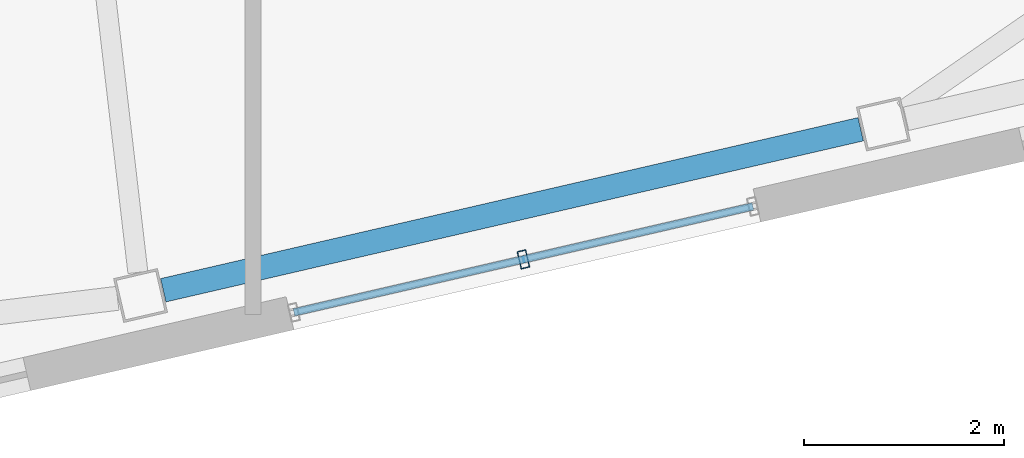
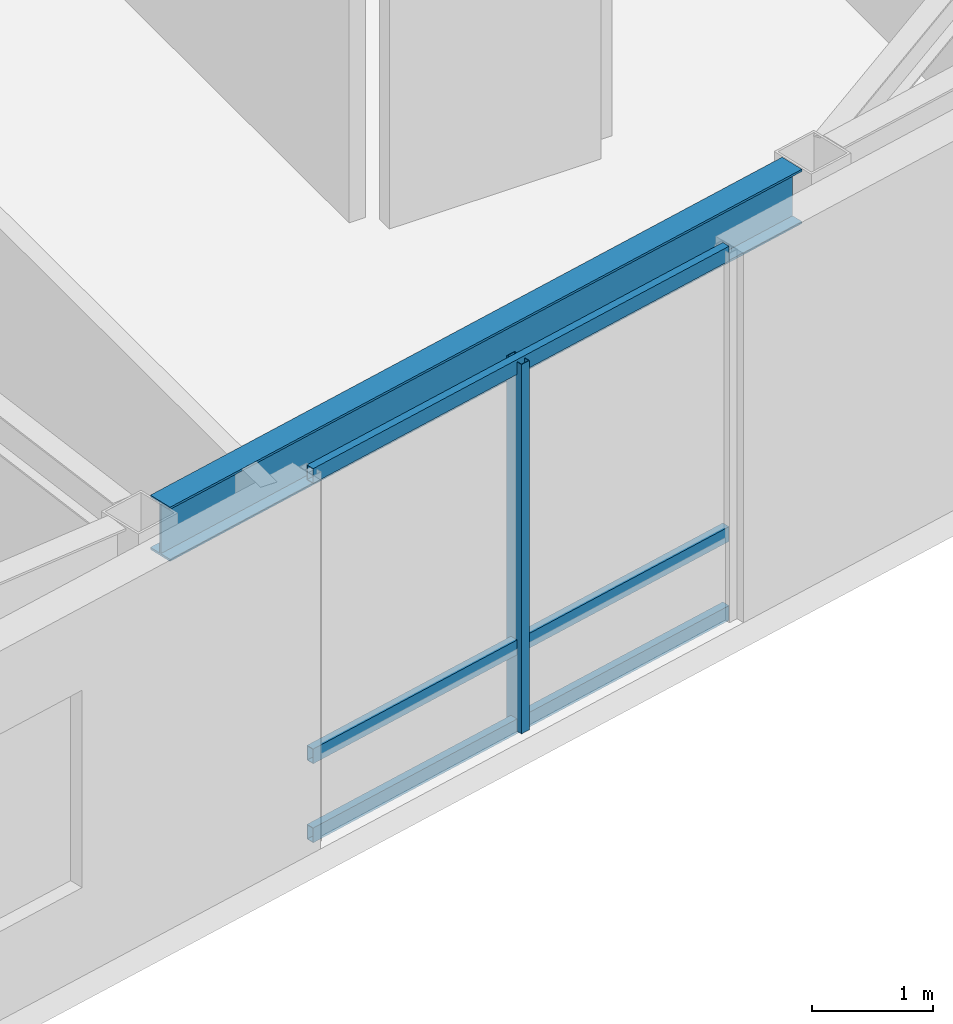
# One storey, part 8 of 23: 4 members, 1 beam, 1 element without a shape of its own.
"""IFC4 building model written with IfcOpenShell, lengths in metres."""

import ifcopenshell
import ifcopenshell.guid

model = None  # the IFC model being written
_history = None  # IfcOwnerHistory: only IFC2X3 demands one
_inside = {}  # id of a spatial element -> (the spatial element, [elements in it])
_under = {}  # id of a project, library or spatial element -> (it, [spatial elements below it])
_declared = {}  # id of a project -> (the project, [libraries it declares])
_typed = {}  # id of a type object -> (the type object, [elements of that type])
_made_of = {}  # id of a material, layer set ... -> (it, [elements and type objects made of it])


def new_model(schema):
    """Start an empty IFC model of exactly this schema.

    Asked for "IFC4X3", IfcOpenShell would pick the latest addendum, in which some entities
    have other attributes; the version numbers below select the first issue.
    IFC2X3 requires an IfcOwnerHistory on every rooted entity: one is made here for all.
    """
    global model, _history
    if schema == "IFC4X3":
        model = ifcopenshell.file(schema_version=(4, 3, 0, 0))
    else:
        model = ifcopenshell.file(schema=schema)
    _inside.clear()
    _under.clear()
    _declared.clear()
    _typed.clear()
    _made_of.clear()
    _history = None
    if model.schema == "IFC2X3":
        org = make("IfcOrganization", Name="unknown")
        user = make(
            "IfcPersonAndOrganization",
            ThePerson=make("IfcPerson", FamilyName="unknown"),
            TheOrganization=org,
        )
        app = make(
            "IfcApplication",
            ApplicationDeveloper=org,
            Version="unknown",
            ApplicationFullName="unknown",
            ApplicationIdentifier="unknown",
        )
        _history = make(
            "IfcOwnerHistory",
            OwningUser=user,
            OwningApplication=app,
            ChangeAction="ADDED",
            CreationDate=0,
        )
    return model


def make(cls, **values):
    """One entity of the class cls with the attributes given. An attribute that is None is left unset."""
    return model.create_entity(
        cls, **{name: value for name, value in values.items() if value is not None}
    )


def rooted(cls, **values):
    """An entity with a GlobalId (a new one), such as an element, a storey or a relation."""
    return make(cls, GlobalId=ifcopenshell.guid.new(), OwnerHistory=_history, **values)


def si_unit(unit_type, name, prefix=None):
    """IfcSIUnit, for example si_unit("LENGTHUNIT", "METRE", prefix="MILLI")."""
    return make("IfcSIUnit", UnitType=unit_type, Prefix=prefix, Name=name)


def assignment(units):
    """IfcUnitAssignment: the units of a project."""
    return None if units is None else make("IfcUnitAssignment", Units=units)


def point(xyz):
    """IfcCartesianPoint."""
    return None if xyz is None else make("IfcCartesianPoint", Coordinates=xyz)


def direction(xyz):
    """IfcDirection."""
    return None if xyz is None else make("IfcDirection", DirectionRatios=xyz)


def frame(location, z_axis=None, x_axis=None):
    """IfcAxis2Placement3D, a coordinate frame: its origin and axes. An axis left out is left unset."""
    return make(
        "IfcAxis2Placement3D",
        Location=point(location),
        Axis=direction(z_axis),
        RefDirection=direction(x_axis),
    )


def frame_2d(location, x_axis=None):
    """IfcAxis2Placement2D, a coordinate frame in the plane: its origin and x axis."""
    return make(
        "IfcAxis2Placement2D", Location=point(location), RefDirection=direction(x_axis)
    )


def origin():
    """The frame at (0, 0, 0) with its axes left unset."""
    return frame((0.0, 0.0, 0.0))


def origin_2d():
    """The frame at (0, 0) in the plane with its x axis left unset."""
    return frame_2d((0.0, 0.0))


def place(relative_to, where):
    """IfcLocalPlacement: puts the frame where relative to a parent placement (None: the world)."""
    return make(
        "IfcLocalPlacement", PlacementRelTo=relative_to, RelativePlacement=where
    )


def context(
    kind, dimensions, precision=None, world=None, true_north=None, identifier=None
):
    """IfcGeometricRepresentationContext, for example the 3D "Model" context."""
    return make(
        "IfcGeometricRepresentationContext",
        ContextIdentifier=identifier,
        ContextType=kind,
        CoordinateSpaceDimension=dimensions,
        Precision=precision,
        WorldCoordinateSystem=world,
        TrueNorth=true_north,
    )


def subcontext(parent, identifier, kind, view, scale=None):
    """IfcGeometricRepresentationSubContext, for example "Body" below "Model"."""
    return make(
        "IfcGeometricRepresentationSubContext",
        ContextIdentifier=identifier,
        ContextType=kind,
        ParentContext=parent,
        TargetScale=scale,
        TargetView=view,
    )


def project(units=None, contexts=None):
    """IfcProject with its units and contexts."""
    return rooted(
        "IfcProject",
        Name="project",
        RepresentationContexts=contexts,
        UnitsInContext=assignment(units),
    )


def spatial(cls, under=None, at=None, **own):
    """A site, building, storey or space (cls), placed at a placement, below another one or the project."""
    s = rooted(cls, ObjectPlacement=at, **own)
    if under is not None:
        _under.setdefault(under.id(), (under, []))[1].append(s)
    return s


def profile(cls, at=None, kind="AREA", **sizes):
    """A parametric profile (cls). Its sizes go by their IFC names, for example OverallWidth=200.0."""
    return make(cls, ProfileType=kind, Position=at, **sizes)


def hollow_rectangle(**sizes):
    """IfcRectangleHollowProfileDef."""
    return profile("IfcRectangleHollowProfileDef", **sizes)


def i_section(**sizes):
    """IfcIShapeProfileDef."""
    return profile("IfcIShapeProfileDef", **sizes)


def extrude(swept, where, along, depth):
    """IfcExtrudedAreaSolid: the profile swept, set in the frame where, extruded along a direction by depth."""
    return make(
        "IfcExtrudedAreaSolid",
        SweptArea=swept,
        Position=where,
        ExtrudedDirection=direction(along),
        Depth=depth,
    )


def shape(context_of_items, identifier, shape_type, items):
    """IfcShapeRepresentation: the items that make up one representation, for example the "Body"."""
    return make(
        "IfcShapeRepresentation",
        ContextOfItems=context_of_items,
        RepresentationIdentifier=identifier,
        RepresentationType=shape_type,
        Items=items,
    )


def material(Name=None, Category=None):
    """IfcMaterial."""
    return make("IfcMaterial", Name=Name, Category=Category)


def layer(
    of_material, thickness, ventilated=None, Name=None, Category=None, Priority=None
):
    """IfcMaterialLayer: one layer of a wall or slab, of a material (None: an air gap)."""
    return make(
        "IfcMaterialLayer",
        Material=of_material,
        LayerThickness=thickness,
        IsVentilated=ventilated,
        Name=Name,
        Category=Category,
        Priority=Priority,
    )


def layer_set(layers, Name=None):
    """IfcMaterialLayerSet."""
    return make("IfcMaterialLayerSet", MaterialLayers=layers, LayerSetName=Name)


def material_profile(
    of_material, cross_section, Name=None, Category=None, Priority=None
):
    """IfcMaterialProfile: a cross section and its material."""
    return make(
        "IfcMaterialProfile",
        Name=Name,
        Material=of_material,
        Profile=cross_section,
        Priority=Priority,
        Category=Category,
    )


def profile_set(profiles, Name=None, composite=None):
    """IfcMaterialProfileSet."""
    return make(
        "IfcMaterialProfileSet",
        Name=Name,
        MaterialProfiles=profiles,
        CompositeProfile=composite,
    )


def made_of(thing, what):
    """Note that an element or type object is made of a material, layer set ...; save() writes the relation."""
    if what is not None:
        _made_of.setdefault(what.id(), (what, []))[1].append(thing)
    return thing


def type_object(cls, material=None, **own):
    """A type object (cls), such as IfcWallType, which elements share."""
    return made_of(rooted(cls, **own), material)


def element(
    cls,
    number,
    at=None,
    inside=None,
    cuts=None,
    type_object=None,
    material=None,
    context=None,
    identifier="Body",
    shape_type=None,
    held_by="IfcProductDefinitionShape",
    body=None,
    shapes=None,
    **own,
):
    """One element of the class cls, such as IfcWall. Its Tag is "e" and its number.

    at: its placement. inside: the storey or other place that contains it. cuts: it is an
    opening in that element (IfcRelVoidsElement). A single representation is given by context,
    identifier, shape_type and body (its items); several are given by shapes. held_by: the class
    of the entity that holds the representations. save() writes the other relations.
    """
    e = rooted(cls, Tag="e%d" % number, ObjectPlacement=at, **own)
    if body is not None:
        shapes = [shape(context, identifier, shape_type, body)]
    if shapes is not None:
        e.Representation = make(held_by, Representations=shapes)
    if inside is not None:
        _inside.setdefault(inside.id(), (inside, []))[1].append(e)
    if cuts is not None:
        rooted(
            "IfcRelVoidsElement", RelatingBuildingElement=cuts, RelatedOpeningElement=e
        )
    if type_object is not None:
        _typed.setdefault(type_object.id(), (type_object, []))[1].append(e)
    return made_of(e, material)


def aggregate(whole, parts):
    """IfcRelAggregates: a whole, such as a stair, and the parts it consists of."""
    return rooted("IfcRelAggregates", RelatingObject=whole, RelatedObjects=parts)


def save(model, path):
    """Write the relations noted so far, then the file.

    IfcRelAggregates (storeys below a building ...), IfcRelContainedInSpatialStructure (elements
    in a storey), IfcRelDefinesByType, IfcRelAssociatesMaterial and IfcRelDeclares: one each for
    every whole, place, type object, material and project.
    """
    for whole, parts in _under.values():
        aggregate(whole, parts)
    for where, things in _inside.values():
        rooted(
            "IfcRelContainedInSpatialStructure",
            RelatedElements=things,
            RelatingStructure=where,
        )
    for kind, things in _typed.values():
        rooted("IfcRelDefinesByType", RelatedObjects=things, RelatingType=kind)
    for what, things in _made_of.values():
        rooted("IfcRelAssociatesMaterial", RelatedObjects=things, RelatingMaterial=what)
    for by, libraries in _declared.values():
        rooted("IfcRelDeclares", RelatingContext=by, RelatedDefinitions=libraries)
    model.write(path)


model = new_model("IFC4")

# Units and contexts
model_context = context("Model", 3, precision=1e-05, world=origin(), true_north=direction((0.0, 1.0)))
body_context = subcontext(model_context, "Body", "Model", "MODEL_VIEW")
ifc_project = project(units=[si_unit("LENGTHUNIT", "METRE"), si_unit("AREAUNIT", "SQUARE_METRE"), si_unit("VOLUMEUNIT", "CUBIC_METRE"), si_unit("PLANEANGLEUNIT", "RADIAN"), si_unit("MASSUNIT", "GRAM", prefix="KILO")], contexts=[model_context])

# Site, building, storey
site_placement = place(None, origin())
site = spatial("IfcSite", under=ifc_project, at=site_placement, CompositionType="ELEMENT")
building_placement = place(site_placement, origin())
building = spatial("IfcBuilding", under=site, at=building_placement, Name="Tavrogorsk Clinical Tower", CompositionType="ELEMENT")
storey_placement = place(building_placement, frame((0.0, 0.0, 293.0)))
storey = spatial("IfcBuildingStorey", under=building, at=storey_placement, Name="L68", CompositionType="ELEMENT", Elevation=293.0)

# Curtain wall, members
ifc_material_1 = material(Name="Anodised aluminium and triple IGU glazing", Category="aluminium")
ifc_layer = layer(ifc_material_1, 0.179931640625)
ifc_layer_set = layer_set([ifc_layer], Name="Anodised aluminium and triple IGU glazing")
curtain_wall_type = type_object("IfcCurtainWallType", Name="CW3_SouthSlot", PredefinedType="NOTDEFINED", material=ifc_layer_set)
curtain_wall_placement = place(storey_placement, origin())
curtain_wall = element("IfcCurtainWall", 1, at=curtain_wall_placement, inside=storey, type_object=curtain_wall_type, Name="L68 Curtain Wall CW-L68-S-SLOT-2", PredefinedType="NOTDEFINED")
ifc_material_2 = material(Name="Anodised aluminium alloy AW-6060", Category="aluminium")
ifc_material_profile_1 = material_profile(ifc_material_2, hollow_rectangle(XDim=0.090087890625, YDim=0.179931640625, WallThickness=0.00634765625, at=origin_2d()), Name="RHS-180x90x6.3")
ifc_profile_set_1 = profile_set([ifc_material_profile_1], Name="Anodised aluminium alloy AW-6060")
member_type_1 = type_object("IfcMemberType", Name="CwMullion_180x90", PredefinedType="MULLION", material=ifc_profile_set_1)
member_1_placement = place(storey_placement, frame((10.106689453125, -22.03515625, 0.0), z_axis=(0.0, 0.0, 1.0), x_axis=(0.974370057377, 0.224951086434, 0.0)))
member_1 = element("IfcMember", 2, at=member_1_placement, type_object=member_type_1, Name="CW-L68-S-SLOT-2 Mullion 2", PredefinedType="MULLION", context=body_context, shape_type="SweptSolid", body=[
    extrude(hollow_rectangle(XDim=0.090087890625, YDim=0.179931640625, WallThickness=0.00634765625, at=origin_2d()), origin(), (0.0, 0.0, 1.0), 3.739990234375),
])
ifc_material_3 = material(Name="Anodised aluminium alloy AW-6060", Category="aluminium")
ifc_material_profile_2 = material_profile(ifc_material_3, hollow_rectangle(XDim=0.074951171875, YDim=0.14990234375, WallThickness=0.0048828125, at=origin_2d()), Name="RHS-150x75x5")
ifc_profile_set_2 = profile_set([ifc_material_profile_2], Name="Anodised aluminium alloy AW-6060")
member_type_2 = type_object("IfcMemberType", Name="CwTransom_150x75", PredefinedType="USERDEFINED", material=ifc_profile_set_2)
member_2_placement = place(storey_placement, frame((7.80810546875, -22.56591796875, 0.050048828125), z_axis=(0.974372877948, 0.22493886885, 0.0), x_axis=(-0.22493886885, 0.974372877948, 0.0)))
member_2 = element("IfcMember", 3, at=member_2_placement, type_object=member_type_2, Name="CW-L68-S-SLOT-2 Transom 1", ObjectType="TRANSOM", PredefinedType="USERDEFINED", context=body_context, shape_type="SweptSolid", body=[
    extrude(hollow_rectangle(XDim=0.074951171875, YDim=0.14990234375, WallThickness=0.0048828125, at=origin_2d()), origin(), (0.0, 0.0, 1.0), 4.718017578125),
])
member_3_placement = place(storey_placement, frame((7.80810546875, -22.56591796875, 0.85009765625), z_axis=(0.974372877948, 0.22493886885, 0.0), x_axis=(-0.22493886885, 0.974372877948, 0.0)))
member_3 = element("IfcMember", 4, at=member_3_placement, type_object=member_type_2, Name="CW-L68-S-SLOT-2 Transom 2", ObjectType="TRANSOM", PredefinedType="USERDEFINED", context=body_context, shape_type="SweptSolid", body=[
    extrude(hollow_rectangle(XDim=0.074951171875, YDim=0.14990234375, WallThickness=0.0048828125, at=origin_2d()), origin(), (0.0, 0.0, 1.0), 4.718017578125),
])
member_4_placement = place(storey_placement, frame((7.80810546875, -22.56591796875, 3.68994140625), z_axis=(0.974372877948, 0.22493886885, 0.0), x_axis=(-0.22493886885, 0.974372877948, 0.0)))
member_4 = element("IfcMember", 5, at=member_4_placement, type_object=member_type_2, Name="CW-L68-S-SLOT-2 Transom 3", ObjectType="TRANSOM", PredefinedType="USERDEFINED", context=body_context, shape_type="SweptSolid", body=[
    extrude(hollow_rectangle(XDim=0.074951171875, YDim=0.14990234375, WallThickness=0.0048828125, at=origin_2d()), origin(), (0.0, 0.0, 1.0), 4.718017578125),
])
aggregate(curtain_wall, [member_1, member_2, member_3, member_4])

# Beam
ifc_material_4 = material(Name="Structural steel S390", Category="steel")
ifc_material_profile_3 = material_profile(ifc_material_4, i_section(OverallWidth=0.239990234375, OverallDepth=0.550048828125, WebThickness=0.013916015625, FlangeThickness=0.02197265625, at=origin_2d()), Name="B-550x240x14x22")
ifc_profile_set_3 = profile_set([ifc_material_profile_3], Name="Structural steel S390")
beam_type = type_object("IfcBeamType", Name="SpandrelBeam_B550", PredefinedType="SPANDREL", material=ifc_profile_set_3)
beam_placement = place(storey_placement, frame((6.499755859375, -22.344482421875, 3.465087890625), z_axis=(0.974369378592, 0.224954026551, 0.0), x_axis=(-0.224954026551, 0.974369378592, 0.0)))
element("IfcBeam", 6, at=beam_placement, inside=storey, type_object=beam_type, Name="L68 Perimeter Spandrel S5-S6", PredefinedType="SPANDREL", context=body_context, shape_type="SweptSolid", body=[
    extrude(i_section(OverallWidth=0.239990234375, OverallDepth=0.550048828125, WebThickness=0.013916015625, FlangeThickness=0.02197265625, at=origin_2d()), origin(), (0.0, 0.0, 1.0), 7.16845703125),
])

save(model, "model.ifc")
